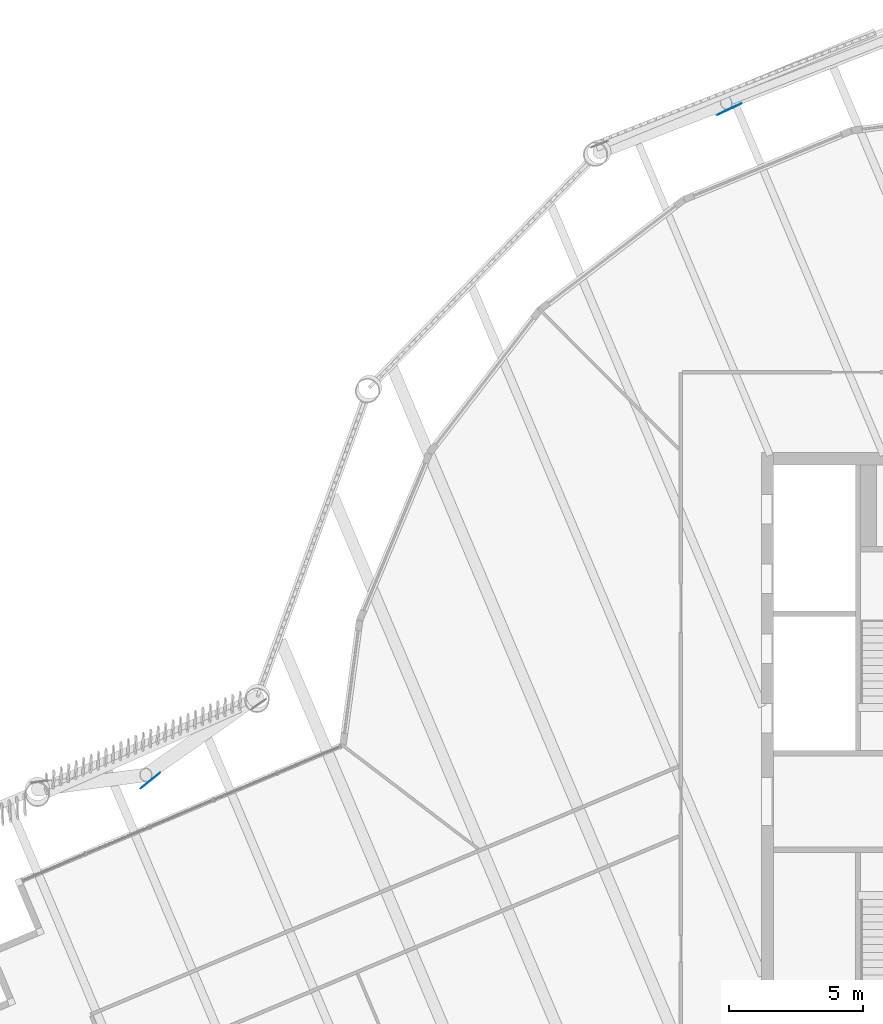
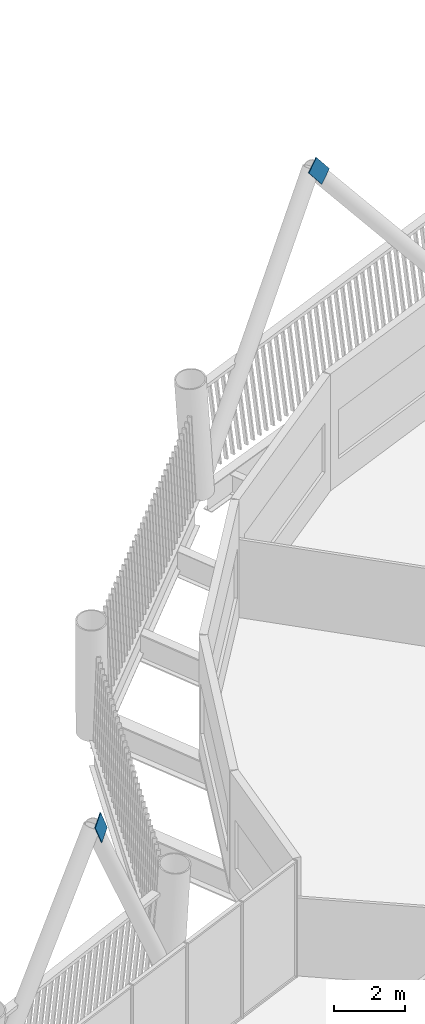
# One storey, part 22 of 35: 2 discrete accessories.
"""IFC4 building model written with IfcOpenShell, lengths in metres."""

from ifc_helpers import new_model, si_unit, direction, frame, origin, origin_2d, place, context, subcontext, project, spatial, rectangle, extrude, material, material_profile, profile_set, type_object, element, save


model = new_model("IFC4")

# Units and contexts
model_context = context("Model", 3, precision=1e-05, world=origin(), true_north=direction((0.0, 1.0)))
body_context = subcontext(model_context, "Body", "Model", "MODEL_VIEW")
ifc_project = project(units=[si_unit("LENGTHUNIT", "METRE"), si_unit("AREAUNIT", "SQUARE_METRE"), si_unit("VOLUMEUNIT", "CUBIC_METRE"), si_unit("PLANEANGLEUNIT", "RADIAN"), si_unit("MASSUNIT", "GRAM", prefix="KILO")], contexts=[model_context])

# Site, building, storey
site_placement = place(None, origin())
site = spatial("IfcSite", under=ifc_project, at=site_placement, CompositionType="ELEMENT")
building_placement = place(site_placement, origin())
building = spatial("IfcBuilding", under=site, at=building_placement, Name="Tarsis Ring Headquarters", CompositionType="ELEMENT")
storey_placement = place(building_placement, frame((0.0, 0.0, 377.60009765625)))
storey = spatial("IfcBuildingStorey", under=building, at=storey_placement, Name="L89", CompositionType="ELEMENT", Elevation=377.60009765625)

# Discrete accessories
ifc_material = material(Name="Structural steel S355", Category="steel")
ifc_material_profile = material_profile(ifc_material, rectangle(XDim=0.02490234375, YDim=0.5, at=origin_2d()), Name="PL 25x500")
ifc_profile_set = profile_set([ifc_material_profile], Name="Structural steel S355")
discrete_accessory_type = type_object("IfcDiscreteAccessoryType", Name="Gusset plate Exo brace 25", PredefinedType="BRACKET", material=ifc_profile_set)
for number, where, z_axis, x_axis, name in (
    (1, (-10.903564453125, 25.944091796875, 8.019287109375), (-0.585701929979, -0.278324385234, 0.761241608034), (0.429202721845, -0.903208183953, 0.0), "Gusset plate GP5"),
    (2, (-32.57177734375, 0.9482421875, 7.972900390625), (-0.404508250687, -0.32736606166, 0.853934738021), (0.629090260677, -0.777332260955, 0.0), "Gusset plate GP5"),
):
    element("IfcDiscreteAccessory", number, at=place(storey_placement, frame(where, z_axis=z_axis, x_axis=x_axis)), inside=storey, type_object=discrete_accessory_type, Name=name, PredefinedType="BRACKET", context=body_context, shape_type="SweptSolid", body=[
        extrude(rectangle(XDim=0.02490234375, YDim=0.5, at=origin_2d()), origin(), (0.0, 0.0, 1.0), 1.0),
    ])

save(model, "model.ifc")
